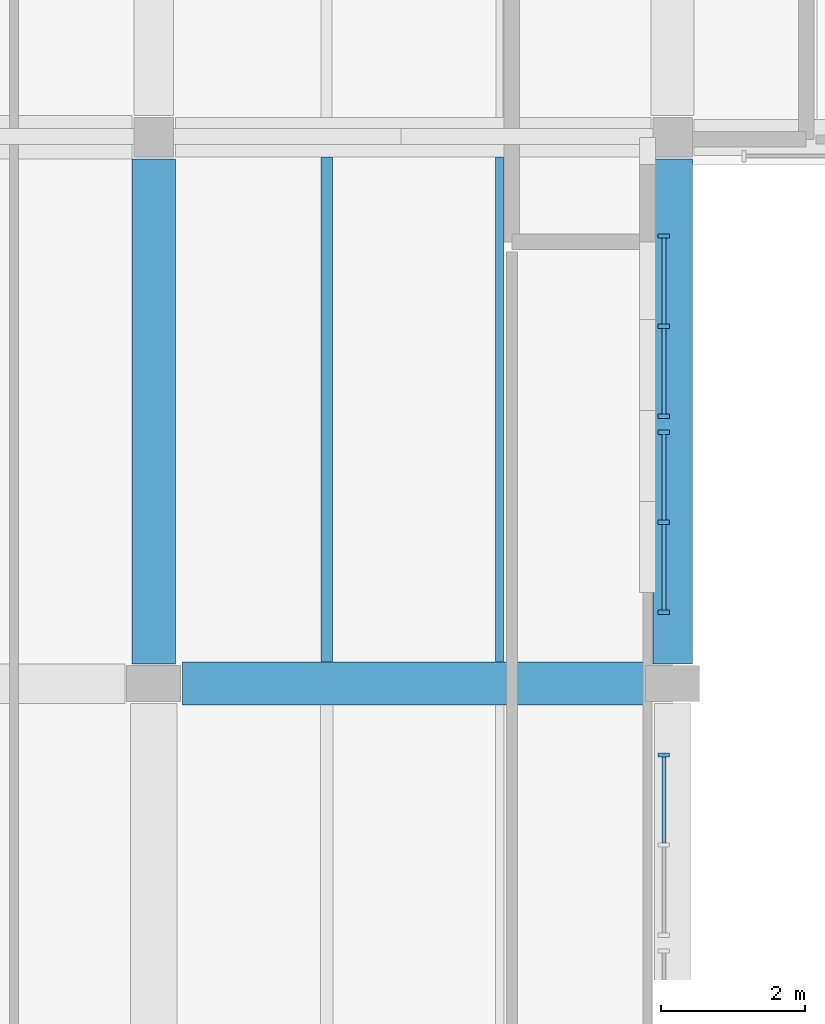
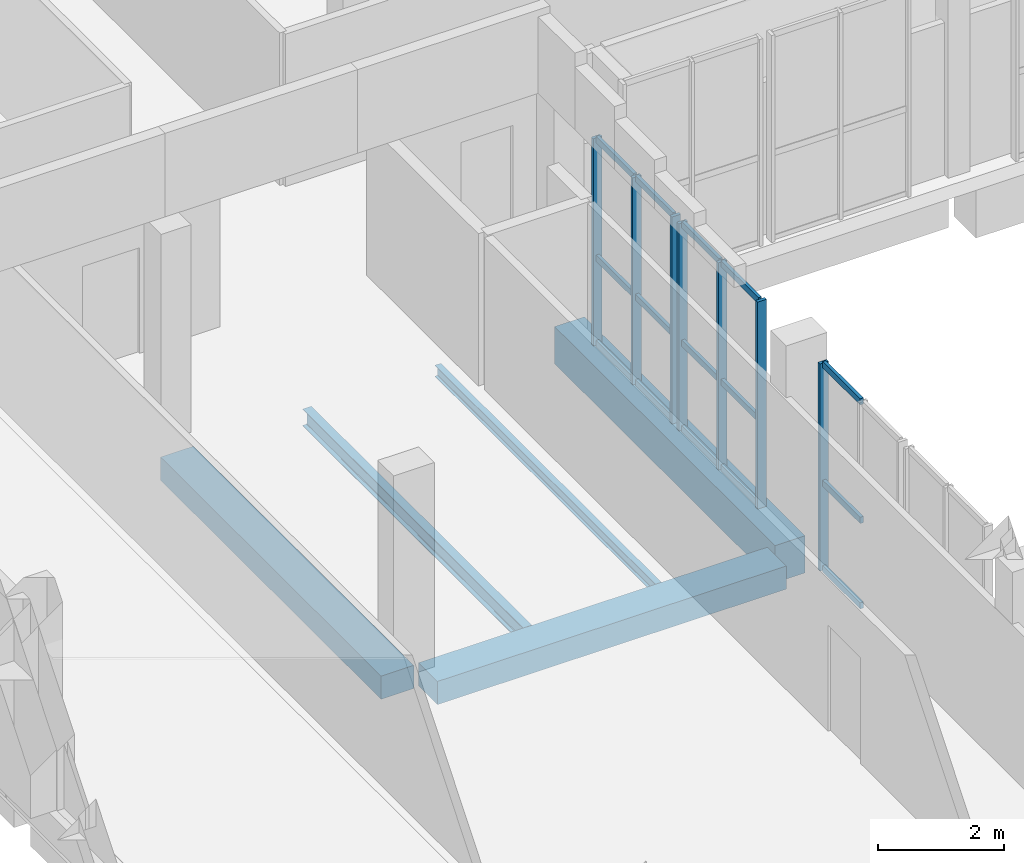
# One storey, part 9 of 34: 22 members, 5 beams, 3 elements without a shape of their own.
"""IFC4 building model written with IfcOpenShell, lengths in metres."""

from ifc_helpers import new_model, si_unit, direction, frame, origin, origin_2d, place, context, subcontext, project, spatial, rectangle, i_section, extrude, material, layer, layer_set, material_profile, profile_set, type_object, element, aggregate, save


model = new_model("IFC4")

# Units and contexts
model_context = context("Model", 3, precision=1e-05, world=origin(), true_north=direction((0.0, 1.0)))
body_context = subcontext(model_context, "Body", "Model", "MODEL_VIEW")
ifc_project = project(units=[si_unit("LENGTHUNIT", "METRE"), si_unit("AREAUNIT", "SQUARE_METRE"), si_unit("VOLUMEUNIT", "CUBIC_METRE"), si_unit("PLANEANGLEUNIT", "RADIAN"), si_unit("MASSUNIT", "GRAM", prefix="KILO")], contexts=[model_context])

# Site, building, storey
site_placement = place(None, origin())
site = spatial("IfcSite", under=ifc_project, at=site_placement, CompositionType="ELEMENT")
building_placement = place(site_placement, origin())
building = spatial("IfcBuilding", under=site, at=building_placement, Name="Vardoun Plaza Health Centre", CompositionType="ELEMENT")
storey_placement = place(building_placement, frame((0.0, 0.0, 12.89990234375)))
storey = spatial("IfcBuildingStorey", under=building, at=storey_placement, Name="L03", CompositionType="ELEMENT", Elevation=12.89990234375)

# Beams
ifc_material_1 = material(Name="Concrete C40/50", Category="concrete")
ifc_material_profile_1 = material_profile(ifc_material_1, rectangle(XDim=0.550048828125, YDim=0.719970703125, at=origin_2d()), Name="RC-BM 550x720")
ifc_profile_set_1 = profile_set([ifc_material_profile_1], Name="Concrete C40/50")
beam_type_1 = type_object("IfcBeamType", Name="B-14", PredefinedType="BEAM", material=ifc_profile_set_1)
beam_1_placement = place(storey_placement, frame((18.89990234375, 94.175048828125, -0.625), z_axis=(0.0, 1.0, 0.0), x_axis=(-1.0, 0.0, 0.0)))
element("IfcBeam", 1, at=beam_1_placement, inside=storey, type_object=beam_type_1, Name="V3 L03 Beam B-V3-L03-Y36", PredefinedType="BEAM", context=body_context, shape_type="SweptSolid", body=[
    extrude(rectangle(XDim=0.550048828125, YDim=0.719970703125, at=origin_2d()), origin(), (0.0, 0.0, 1.0), 7.0048828125),
])
ifc_material_2 = material(Name="Concrete C35/45", Category="concrete")
ifc_material_profile_2 = material_profile(ifc_material_2, rectangle(XDim=0.60009765625, YDim=0.449951171875, at=origin_2d()), Name="RC-BM 600x450")
ifc_profile_set_2 = profile_set([ifc_material_profile_2], Name="Concrete C35/45")
beam_type_2 = type_object("IfcBeamType", Name="B-04", PredefinedType="BEAM", material=ifc_profile_set_2)
beam_2_placement = place(storey_placement, frame((12.10009765625, 93.900146484375, -0.489990234375), z_axis=(1.0, 0.0, 0.0), x_axis=(0.0, 1.0, 0.0)))
element("IfcBeam", 2, at=beam_2_placement, inside=storey, type_object=beam_type_2, Name="V3 L03 Beam B-V3-L03-X09", PredefinedType="BEAM", context=body_context, shape_type="SweptSolid", body=[
    extrude(rectangle(XDim=0.60009765625, YDim=0.449951171875, at=origin_2d()), origin(), (0.0, 0.0, 1.0), 6.39990234375),
])
beam_3_placement = place(storey_placement, frame((11.699951171875, 94.175048828125, -0.489990234375), z_axis=(0.0, 1.0, 0.0), x_axis=(-1.0, 0.0, 0.0)))
element("IfcBeam", 3, at=beam_3_placement, inside=storey, type_object=beam_type_2, Name="V3 L03 Beam B-V3-L03-Y31", PredefinedType="BEAM", context=body_context, shape_type="SweptSolid", body=[
    extrude(rectangle(XDim=0.60009765625, YDim=0.449951171875, at=origin_2d()), origin(), (0.0, 0.0, 1.0), 7.0048828125),
])
ifc_material_3 = material(Name="Steel S355J2", Category="steel")
ifc_material_profile_3 = material_profile(ifc_material_3, i_section(OverallWidth=0.110107421875, OverallDepth=0.219970703125, WebThickness=0.005859375, FlangeThickness=0.00927734375, FilletRadius=0.011962890625, at=origin_2d()), Name="IPE 220")
ifc_profile_set_3 = profile_set([ifc_material_profile_3], Name="Steel S355J2")
beam_type_3 = type_object("IfcBeamType", Name="SB-18", PredefinedType="JOIST", material=ifc_profile_set_3)
beam_4_placement = place(storey_placement, frame((16.500244140625, 94.199951171875, -0.375), z_axis=(0.0, 1.0, 0.0), x_axis=(-1.0, 0.0, 0.0)))
element("IfcBeam", 4, at=beam_4_placement, inside=storey, type_object=beam_type_3, Name="V3 L03 Secondary Floor Beam SJ-V3-L03-14", PredefinedType="JOIST", context=body_context, shape_type="SweptSolid", body=[
    extrude(i_section(OverallWidth=0.110107421875, OverallDepth=0.219970703125, WebThickness=0.005859375, FlangeThickness=0.00927734375, FilletRadius=0.011962890625, at=origin_2d()), origin(), (0.0, 0.0, 1.0), 7.005126953125),
])
ifc_material_4 = material(Name="Steel S355J2", Category="steel")
ifc_material_profile_4 = material_profile(ifc_material_4, i_section(OverallWidth=0.159912109375, OverallDepth=0.330078125, WebThickness=0.007568359375, FlangeThickness=0.011474609375, FilletRadius=0.01806640625, at=origin_2d()), Name="IPE 330")
ifc_profile_set_4 = profile_set([ifc_material_profile_4], Name="Steel S355J2")
beam_type_4 = type_object("IfcBeamType", Name="SB-14", PredefinedType="JOIST", material=ifc_profile_set_4)
beam_5_placement = place(storey_placement, frame((14.099853515625, 94.199951171875, -0.429931640625), z_axis=(0.0, 1.0, 0.0), x_axis=(-1.0, 0.0, 0.0)))
element("IfcBeam", 5, at=beam_5_placement, inside=storey, type_object=beam_type_4, Name="V3 L03 Secondary Floor Beam SJ-V3-L03-10", PredefinedType="JOIST", context=body_context, shape_type="SweptSolid", body=[
    extrude(i_section(OverallWidth=0.159912109375, OverallDepth=0.330078125, WebThickness=0.007568359375, FlangeThickness=0.011474609375, FilletRadius=0.01806640625, at=origin_2d()), origin(), (0.0, 0.0, 1.0), 7.005126953125),
])

# Curtain wall, members
ifc_material_5 = material(Name="Aluminium Alloy EN AW-6063-T6 and Low-E Glass", Category="aluminium")
ifc_layer = layer(ifc_material_5, 0.159912109375)
ifc_layer_set = layer_set([ifc_layer], Name="Aluminium Alloy EN AW-6063-T6 and Low-E Glass")
curtain_wall_type = type_object("IfcCurtainWallType", Name="CW-02", PredefinedType="USERDEFINED", material=ifc_layer_set)
curtain_wall_1_placement = place(storey_placement, origin())
curtain_wall_1 = element("IfcCurtainWall", 6, at=curtain_wall_1_placement, inside=storey, type_object=curtain_wall_type, Name="Curtain Wall CW-V3-095", ObjectType="COURTYARD_CURTAIN_WALL", PredefinedType="USERDEFINED")
ifc_material_6 = material(Name="Aluminium Alloy EN AW-6063-T6", Category="aluminium")
ifc_material_profile_5 = material_profile(ifc_material_6, rectangle(XDim=0.159912109375, YDim=0.06005859375, at=origin_2d()), Name="CWM 60x160")
ifc_profile_set_5 = profile_set([ifc_material_profile_5], Name="Aluminium Alloy EN AW-6063-T6")
member_type_1 = type_object("IfcMemberType", Name="CW-M1", PredefinedType="MULLION", material=ifc_profile_set_5)
member_1_placement = place(storey_placement, frame((18.780029296875, 100.110107421875, 0.0), z_axis=(0.0, 0.0, 1.0), x_axis=(1.0, 0.0, 0.0)))
member_1 = element("IfcMember", 7, at=member_1_placement, type_object=member_type_1, Name="CW-V3-095 mullion 1", PredefinedType="MULLION", context=body_context, shape_type="SweptSolid", body=[
    extrude(rectangle(XDim=0.159912109375, YDim=0.06005859375, at=origin_2d()), origin(), (0.0, 0.0, 1.0), 4.01513671875),
])
member_2_placement = place(storey_placement, frame((18.780029296875, 98.860107421875, 0.0), z_axis=(0.0, 0.0, 1.0), x_axis=(1.0, 0.0, 0.0)))
member_2 = element("IfcMember", 8, at=member_2_placement, type_object=member_type_1, Name="CW-V3-095 mullion 2", PredefinedType="MULLION", context=body_context, shape_type="SweptSolid", body=[
    extrude(rectangle(XDim=0.159912109375, YDim=0.06005859375, at=origin_2d()), origin(), (0.0, 0.0, 1.0), 4.01513671875),
])
member_3_placement = place(storey_placement, frame((18.780029296875, 97.610107421875, 0.0), z_axis=(0.0, 0.0, 1.0), x_axis=(1.0, 0.0, 0.0)))
member_3 = element("IfcMember", 9, at=member_3_placement, type_object=member_type_1, Name="CW-V3-095 mullion 3", PredefinedType="MULLION", context=body_context, shape_type="SweptSolid", body=[
    extrude(rectangle(XDim=0.159912109375, YDim=0.06005859375, at=origin_2d()), origin(), (0.0, 0.0, 1.0), 4.01513671875),
])

curtain_wall_2_placement = place(storey_placement, origin())
curtain_wall_2 = element("IfcCurtainWall", 10, at=curtain_wall_2_placement, inside=storey, type_object=curtain_wall_type, Name="Curtain Wall CW-V3-096", ObjectType="COURTYARD_CURTAIN_WALL", PredefinedType="USERDEFINED")
member_4_placement = place(storey_placement, frame((18.780029296875, 97.389892578125, 0.0), z_axis=(0.0, 0.0, 1.0), x_axis=(1.0, 0.0, 0.0)))
member_4 = element("IfcMember", 11, at=member_4_placement, type_object=member_type_1, Name="CW-V3-096 mullion 1", PredefinedType="MULLION", context=body_context, shape_type="SweptSolid", body=[
    extrude(rectangle(XDim=0.159912109375, YDim=0.06005859375, at=origin_2d()), origin(), (0.0, 0.0, 1.0), 4.01513671875),
])
member_5_placement = place(storey_placement, frame((18.780029296875, 96.139892578125, 0.0), z_axis=(0.0, 0.0, 1.0), x_axis=(1.0, 0.0, 0.0)))
member_5 = element("IfcMember", 12, at=member_5_placement, type_object=member_type_1, Name="CW-V3-096 mullion 2", PredefinedType="MULLION", context=body_context, shape_type="SweptSolid", body=[
    extrude(rectangle(XDim=0.159912109375, YDim=0.06005859375, at=origin_2d()), origin(), (0.0, 0.0, 1.0), 4.01513671875),
])
member_6_placement = place(storey_placement, frame((18.780029296875, 94.889892578125, 0.0), z_axis=(0.0, 0.0, 1.0), x_axis=(1.0, 0.0, 0.0)))
member_6 = element("IfcMember", 13, at=member_6_placement, type_object=member_type_1, Name="CW-V3-096 mullion 3", PredefinedType="MULLION", context=body_context, shape_type="SweptSolid", body=[
    extrude(rectangle(XDim=0.159912109375, YDim=0.06005859375, at=origin_2d()), origin(), (0.0, 0.0, 1.0), 4.01513671875),
])

# Curtain wall, member
curtain_wall_3_placement = place(storey_placement, origin())
curtain_wall_3 = element("IfcCurtainWall", 14, at=curtain_wall_3_placement, inside=storey, type_object=curtain_wall_type, Name="Curtain Wall CW-V3-097", ObjectType="COURTYARD_CURTAIN_WALL", PredefinedType="USERDEFINED")
member_7_placement = place(storey_placement, frame((18.780029296875, 92.909912109375, 0.0), z_axis=(0.0, 0.0, 1.0), x_axis=(1.0, 0.0, 0.0)))
member_7 = element("IfcMember", 15, at=member_7_placement, type_object=member_type_1, Name="CW-V3-097 mullion 1", PredefinedType="MULLION", context=body_context, shape_type="SweptSolid", body=[
    extrude(rectangle(XDim=0.159912109375, YDim=0.06005859375, at=origin_2d()), origin(), (0.0, 0.0, 1.0), 4.01513671875),
])

# Member
ifc_material_7 = material(Name="Aluminium Alloy EN AW-6063-T6", Category="aluminium")
ifc_material_profile_6 = material_profile(ifc_material_7, rectangle(XDim=0.06005859375, YDim=0.1201171875, at=origin_2d()), Name="CWT 60x120")
ifc_profile_set_6 = profile_set([ifc_material_profile_6], Name="Aluminium Alloy EN AW-6063-T6")
member_type_2 = type_object("IfcMemberType", Name="CW-T1", PredefinedType="USERDEFINED", material=ifc_profile_set_6)
member_8_placement = place(storey_placement, frame((18.780029296875, 100.080078125, 0.030029296875), z_axis=(0.0, -1.0, 0.0), x_axis=(1.0, 0.0, 0.0)))
member_8 = element("IfcMember", 16, at=member_8_placement, type_object=member_type_2, Name="CW-V3-095 transom 1.1", ObjectType="TRANSOM", PredefinedType="USERDEFINED", context=body_context, shape_type="SweptSolid", body=[
    extrude(rectangle(XDim=0.06005859375, YDim=0.1201171875, at=origin_2d()), origin(), (0.0, 0.0, 1.0), 1.190185546875),
])

member_9_placement = place(storey_placement, frame((18.780029296875, 100.080078125, 1.686279296875), z_axis=(0.0, -1.0, 0.0), x_axis=(1.0, 0.0, 0.0)))
member_9 = element("IfcMember", 17, at=member_9_placement, type_object=member_type_2, Name="CW-V3-095 transom 1.2", ObjectType="TRANSOM", PredefinedType="USERDEFINED", context=body_context, shape_type="SweptSolid", body=[
    extrude(rectangle(XDim=0.06005859375, YDim=0.1201171875, at=origin_2d()), origin(), (0.0, 0.0, 1.0), 1.190185546875),
])

member_10_placement = place(storey_placement, frame((18.780029296875, 100.080078125, 3.985107421875), z_axis=(0.0, -1.0, 0.0), x_axis=(1.0, 0.0, 0.0)))
member_10 = element("IfcMember", 18, at=member_10_placement, type_object=member_type_2, Name="CW-V3-095 transom 1.3", ObjectType="TRANSOM", PredefinedType="USERDEFINED", context=body_context, shape_type="SweptSolid", body=[
    extrude(rectangle(XDim=0.06005859375, YDim=0.1201171875, at=origin_2d()), origin(), (0.0, 0.0, 1.0), 1.190185546875),
])

member_11_placement = place(storey_placement, frame((18.780029296875, 98.830078125, 0.030029296875), z_axis=(0.0, -1.0, 0.0), x_axis=(1.0, 0.0, 0.0)))
member_11 = element("IfcMember", 19, at=member_11_placement, type_object=member_type_2, Name="CW-V3-095 transom 2.1", ObjectType="TRANSOM", PredefinedType="USERDEFINED", context=body_context, shape_type="SweptSolid", body=[
    extrude(rectangle(XDim=0.06005859375, YDim=0.1201171875, at=origin_2d()), origin(), (0.0, 0.0, 1.0), 1.190185546875),
])

member_12_placement = place(storey_placement, frame((18.780029296875, 98.830078125, 1.686279296875), z_axis=(0.0, -1.0, 0.0), x_axis=(1.0, 0.0, 0.0)))
member_12 = element("IfcMember", 20, at=member_12_placement, type_object=member_type_2, Name="CW-V3-095 transom 2.2", ObjectType="TRANSOM", PredefinedType="USERDEFINED", context=body_context, shape_type="SweptSolid", body=[
    extrude(rectangle(XDim=0.06005859375, YDim=0.1201171875, at=origin_2d()), origin(), (0.0, 0.0, 1.0), 1.190185546875),
])

member_13_placement = place(storey_placement, frame((18.780029296875, 98.830078125, 3.985107421875), z_axis=(0.0, -1.0, 0.0), x_axis=(1.0, 0.0, 0.0)))
member_13 = element("IfcMember", 21, at=member_13_placement, type_object=member_type_2, Name="CW-V3-095 transom 2.3", ObjectType="TRANSOM", PredefinedType="USERDEFINED", context=body_context, shape_type="SweptSolid", body=[
    extrude(rectangle(XDim=0.06005859375, YDim=0.1201171875, at=origin_2d()), origin(), (0.0, 0.0, 1.0), 1.190185546875),
])

aggregate(curtain_wall_1, [member_1, member_2, member_3, member_8, member_9, member_10, member_11, member_12, member_13])

member_14_placement = place(storey_placement, frame((18.780029296875, 97.360107421875, 0.030029296875), z_axis=(0.0, -1.0, 0.0), x_axis=(1.0, 0.0, 0.0)))
member_14 = element("IfcMember", 22, at=member_14_placement, type_object=member_type_2, Name="CW-V3-096 transom 1.1", ObjectType="TRANSOM", PredefinedType="USERDEFINED", context=body_context, shape_type="SweptSolid", body=[
    extrude(rectangle(XDim=0.06005859375, YDim=0.1201171875, at=origin_2d()), origin(), (0.0, 0.0, 1.0), 1.190185546875),
])

member_15_placement = place(storey_placement, frame((18.780029296875, 97.360107421875, 1.686279296875), z_axis=(0.0, -1.0, 0.0), x_axis=(1.0, 0.0, 0.0)))
member_15 = element("IfcMember", 23, at=member_15_placement, type_object=member_type_2, Name="CW-V3-096 transom 1.2", ObjectType="TRANSOM", PredefinedType="USERDEFINED", context=body_context, shape_type="SweptSolid", body=[
    extrude(rectangle(XDim=0.06005859375, YDim=0.1201171875, at=origin_2d()), origin(), (0.0, 0.0, 1.0), 1.190185546875),
])

member_16_placement = place(storey_placement, frame((18.780029296875, 97.360107421875, 3.985107421875), z_axis=(0.0, -1.0, 0.0), x_axis=(1.0, 0.0, 0.0)))
member_16 = element("IfcMember", 24, at=member_16_placement, type_object=member_type_2, Name="CW-V3-096 transom 1.3", ObjectType="TRANSOM", PredefinedType="USERDEFINED", context=body_context, shape_type="SweptSolid", body=[
    extrude(rectangle(XDim=0.06005859375, YDim=0.1201171875, at=origin_2d()), origin(), (0.0, 0.0, 1.0), 1.190185546875),
])

member_17_placement = place(storey_placement, frame((18.780029296875, 96.110107421875, 0.030029296875), z_axis=(0.0, -1.0, 0.0), x_axis=(1.0, 0.0, 0.0)))
member_17 = element("IfcMember", 25, at=member_17_placement, type_object=member_type_2, Name="CW-V3-096 transom 2.1", ObjectType="TRANSOM", PredefinedType="USERDEFINED", context=body_context, shape_type="SweptSolid", body=[
    extrude(rectangle(XDim=0.06005859375, YDim=0.1201171875, at=origin_2d()), origin(), (0.0, 0.0, 1.0), 1.190185546875),
])

member_18_placement = place(storey_placement, frame((18.780029296875, 96.110107421875, 1.686279296875), z_axis=(0.0, -1.0, 0.0), x_axis=(1.0, 0.0, 0.0)))
member_18 = element("IfcMember", 26, at=member_18_placement, type_object=member_type_2, Name="CW-V3-096 transom 2.2", ObjectType="TRANSOM", PredefinedType="USERDEFINED", context=body_context, shape_type="SweptSolid", body=[
    extrude(rectangle(XDim=0.06005859375, YDim=0.1201171875, at=origin_2d()), origin(), (0.0, 0.0, 1.0), 1.190185546875),
])

member_19_placement = place(storey_placement, frame((18.780029296875, 96.110107421875, 3.985107421875), z_axis=(0.0, -1.0, 0.0), x_axis=(1.0, 0.0, 0.0)))
member_19 = element("IfcMember", 27, at=member_19_placement, type_object=member_type_2, Name="CW-V3-096 transom 2.3", ObjectType="TRANSOM", PredefinedType="USERDEFINED", context=body_context, shape_type="SweptSolid", body=[
    extrude(rectangle(XDim=0.06005859375, YDim=0.1201171875, at=origin_2d()), origin(), (0.0, 0.0, 1.0), 1.190185546875),
])

aggregate(curtain_wall_2, [member_4, member_5, member_6, member_14, member_15, member_16, member_17, member_18, member_19])

member_20_placement = place(storey_placement, frame((18.780029296875, 92.8798828125, 0.030029296875), z_axis=(0.0, -1.0, 0.0), x_axis=(1.0, 0.0, 0.0)))
member_20 = element("IfcMember", 28, at=member_20_placement, type_object=member_type_2, Name="CW-V3-097 transom 1.1", ObjectType="TRANSOM", PredefinedType="USERDEFINED", context=body_context, shape_type="SweptSolid", body=[
    extrude(rectangle(XDim=0.06005859375, YDim=0.1201171875, at=origin_2d()), origin(), (0.0, 0.0, 1.0), 1.189697265625),
])

member_21_placement = place(storey_placement, frame((18.780029296875, 92.8798828125, 1.686279296875), z_axis=(0.0, -1.0, 0.0), x_axis=(1.0, 0.0, 0.0)))
member_21 = element("IfcMember", 29, at=member_21_placement, type_object=member_type_2, Name="CW-V3-097 transom 1.2", ObjectType="TRANSOM", PredefinedType="USERDEFINED", context=body_context, shape_type="SweptSolid", body=[
    extrude(rectangle(XDim=0.06005859375, YDim=0.1201171875, at=origin_2d()), origin(), (0.0, 0.0, 1.0), 1.189697265625),
])

member_22_placement = place(storey_placement, frame((18.780029296875, 92.8798828125, 3.985107421875), z_axis=(0.0, -1.0, 0.0), x_axis=(1.0, 0.0, 0.0)))
member_22 = element("IfcMember", 30, at=member_22_placement, type_object=member_type_2, Name="CW-V3-097 transom 1.3", ObjectType="TRANSOM", PredefinedType="USERDEFINED", context=body_context, shape_type="SweptSolid", body=[
    extrude(rectangle(XDim=0.06005859375, YDim=0.1201171875, at=origin_2d()), origin(), (0.0, 0.0, 1.0), 1.189697265625),
])

aggregate(curtain_wall_3, [member_7, member_20, member_21, member_22])

save(model, "model.ifc")
